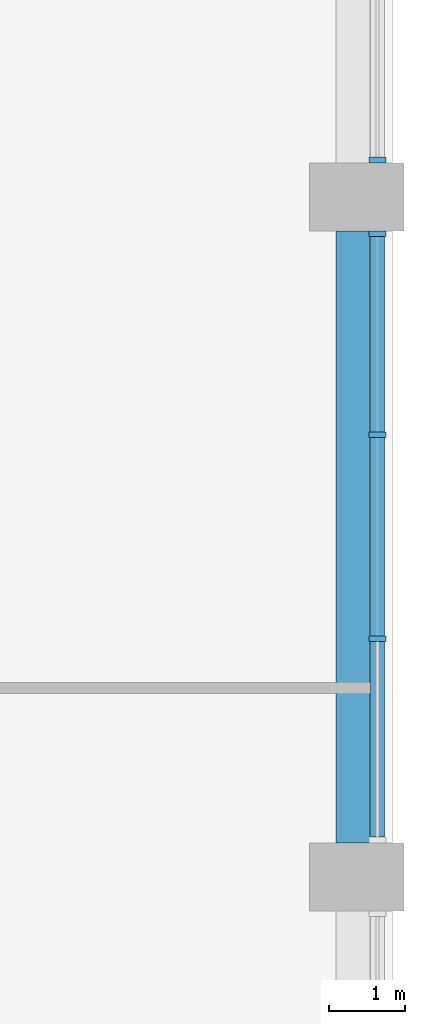
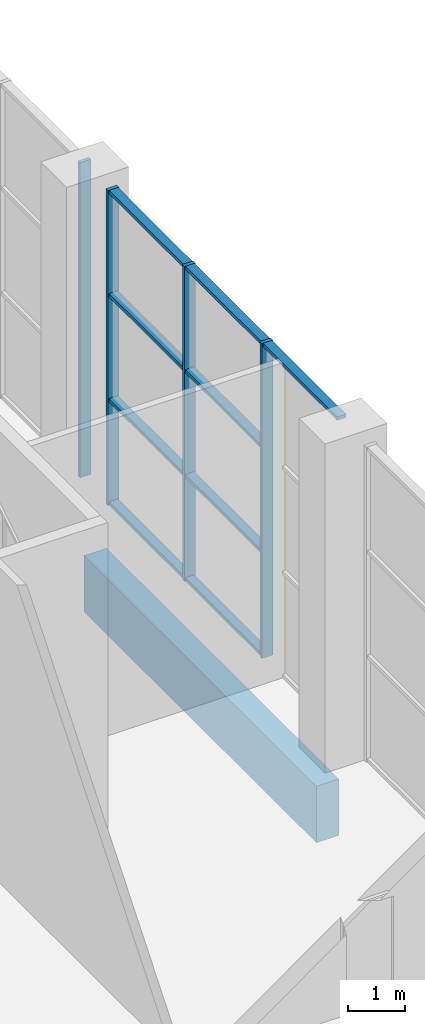
# One storey, part 5 of 22: 13 members, 1 beam, 2 elements without a shape of their own.
"""IFC4 building model written with IfcOpenShell, lengths in metres."""

from ifc_helpers import new_model, si_unit, direction, frame, origin, origin_2d, place, context, subcontext, project, spatial, rectangle, extrude, material, material_profile, profile_set, type_object, element, aggregate, save


model = new_model("IFC4")

# Units and contexts
model_context = context("Model", 3, precision=1e-05, world=origin(), true_north=direction((0.0, 1.0)))
body_context = subcontext(model_context, "Body", "Model", "MODEL_VIEW")
ifc_project = project(units=[si_unit("LENGTHUNIT", "METRE"), si_unit("AREAUNIT", "SQUARE_METRE"), si_unit("VOLUMEUNIT", "CUBIC_METRE"), si_unit("PLANEANGLEUNIT", "RADIAN"), si_unit("MASSUNIT", "GRAM", prefix="KILO")], contexts=[model_context])

# Site, building, storey
site_placement = place(None, origin())
site = spatial("IfcSite", under=ifc_project, at=site_placement, CompositionType="ELEMENT")
building_placement = place(site_placement, origin())
building = spatial("IfcBuilding", under=site, at=building_placement, Name="Cypress Arch Tower", CompositionType="ELEMENT")
storey_placement = place(building_placement, frame((0.0, 0.0, 145.5)))
storey = spatial("IfcBuildingStorey", under=building, at=storey_placement, Name="L32", CompositionType="ELEMENT", Elevation=145.5)

# Curtain wall, members
ifc_material_1 = material(Name="Anodised aluminium, bronze finish, solar control laminated double glazing", Category="aluminium")
curtain_wall_type = type_object("IfcCurtainWallType", Name="Curtain wall CW3 sky lobby glazing", PredefinedType="NOTDEFINED", material=ifc_material_1)
curtain_wall_1_placement = place(storey_placement, origin())
curtain_wall_1 = element("IfcCurtainWall", 1, at=curtain_wall_1_placement, inside=storey, type_object=curtain_wall_type, Name="Curtain wall L32 A06.2.1", PredefinedType="NOTDEFINED")
ifc_material_2 = material(Name="Anodised aluminium, bronze finish", Category="aluminium")
ifc_material_profile_1 = material_profile(ifc_material_2, rectangle(XDim=0.219970703125, YDim=0.074951171875, at=origin_2d()), Name="Mullion 75x220")
ifc_profile_set_1 = profile_set([ifc_material_profile_1], Name="Anodised aluminium, bronze finish")
member_type_1 = type_object("IfcMemberType", Name="Mullion CW3 75x220", PredefinedType="MULLION", material=ifc_profile_set_1)
member_1_placement = place(storey_placement, frame((24.39990234375, -1.35009765625, 0.0), z_axis=(0.0, 0.0, 1.0), x_axis=(-1.0, 0.0, 0.0)))
member_1 = element("IfcMember", 2, at=member_1_placement, type_object=member_type_1, Name="CW3 mullion 2", PredefinedType="MULLION", context=body_context, shape_type="SweptSolid", body=[
    extrude(rectangle(XDim=0.219970703125, YDim=0.074951171875, at=origin_2d()), origin(), (0.0, 0.0, 1.0), 6.699951171875),
])
member_2_placement = place(storey_placement, frame((24.39990234375, 1.35009765625, 0.0), z_axis=(0.0, 0.0, 1.0), x_axis=(-1.0, 0.0, 0.0)))
member_2 = element("IfcMember", 3, at=member_2_placement, type_object=member_type_1, Name="CW3 mullion 3", PredefinedType="MULLION", context=body_context, shape_type="SweptSolid", body=[
    extrude(rectangle(XDim=0.219970703125, YDim=0.074951171875, at=origin_2d()), origin(), (0.0, 0.0, 1.0), 6.699951171875),
])
member_3_placement = place(storey_placement, frame((24.39990234375, 4.012451171875, 0.0), z_axis=(0.0, 0.0, 1.0), x_axis=(-1.0, 0.0, 0.0)))
member_3 = element("IfcMember", 4, at=member_3_placement, type_object=member_type_1, Name="CW3 mullion 4", PredefinedType="MULLION", context=body_context, shape_type="SweptSolid", body=[
    extrude(rectangle(XDim=0.219970703125, YDim=0.074951171875, at=origin_2d()), origin(), (0.0, 0.0, 1.0), 6.699951171875),
])

# Curtain wall, member
curtain_wall_2_placement = place(storey_placement, origin())
curtain_wall_2 = element("IfcCurtainWall", 5, at=curtain_wall_2_placement, inside=storey, type_object=curtain_wall_type, Name="Curtain wall L32 A06.3.1", PredefinedType="NOTDEFINED")
member_4_placement = place(storey_placement, frame((24.39990234375, 4.987548828125, 0.0), z_axis=(0.0, 0.0, 1.0), x_axis=(-1.0, 0.0, 0.0)))
member_4 = element("IfcMember", 6, at=member_4_placement, type_object=member_type_1, Name="CW3 mullion 1", PredefinedType="MULLION", context=body_context, shape_type="SweptSolid", body=[
    extrude(rectangle(XDim=0.219970703125, YDim=0.074951171875, at=origin_2d()), origin(), (0.0, 0.0, 1.0), 6.699951171875),
])
aggregate(curtain_wall_2, [member_4])

# Beam
ifc_material_3 = material(Name="Concrete C50/60", Category="concrete")
ifc_material_profile_2 = material_profile(ifc_material_3, rectangle(XDim=0.449951171875, YDim=1.199951171875, at=origin_2d()), Name="RC 450x1200")
ifc_profile_set_2 = profile_set([ifc_material_profile_2], Name="Concrete C50/60")
beam_type = type_object("IfcBeamType", Name="Spandrel beam RC 450x1200 Concrete C50/60", PredefinedType="SPANDREL", material=ifc_profile_set_2)
beam_placement = place(storey_placement, frame((24.074951171875, -4.050048828125, -1.550048828125), z_axis=(0.0, 1.0, 0.0), x_axis=(-1.0, 0.0, 0.0)))
element("IfcBeam", 7, at=beam_placement, inside=storey, type_object=beam_type, Name="Spandrel beam L32 BA06-2", PredefinedType="SPANDREL", context=body_context, shape_type="SweptSolid", body=[
    extrude(rectangle(XDim=0.449951171875, YDim=1.199951171875, at=origin_2d()), origin(), (0.0, 0.0, 1.0), 8.10009765625),
])

# Member
ifc_material_4 = material(Name="Anodised aluminium, bronze finish", Category="aluminium")
ifc_material_profile_3 = material_profile(ifc_material_4, rectangle(XDim=0.179931640625, YDim=0.074951171875, at=origin_2d()), Name="Transom 75x180")
ifc_profile_set_3 = profile_set([ifc_material_profile_3], Name="Anodised aluminium, bronze finish")
member_type_2 = type_object("IfcMemberType", Name="Transom CW3 75x180", PredefinedType="USERDEFINED", material=ifc_profile_set_3)
member_5_placement = place(storey_placement, frame((24.39990234375, -3.97509765625, 6.66259765625), z_axis=(0.0, 1.0, 0.0), x_axis=(-1.0, 0.0, 0.0)))
member_5 = element("IfcMember", 8, at=member_5_placement, type_object=member_type_2, Name="CW3 transom 1.4", ObjectType="TRANSOM", PredefinedType="USERDEFINED", context=body_context, shape_type="SweptSolid", body=[
    extrude(rectangle(XDim=0.179931640625, YDim=0.074951171875, at=origin_2d()), origin(), (0.0, 0.0, 1.0), 2.587646484375),
])

member_6_placement = place(storey_placement, frame((24.39990234375, -1.3125, 0.03759765625), z_axis=(0.0, 1.0, 0.0), x_axis=(-1.0, 0.0, 0.0)))
member_6 = element("IfcMember", 9, at=member_6_placement, type_object=member_type_2, Name="CW3 transom 2.1", ObjectType="TRANSOM", PredefinedType="USERDEFINED", context=body_context, shape_type="SweptSolid", body=[
    extrude(rectangle(XDim=0.179931640625, YDim=0.074951171875, at=origin_2d()), origin(), (0.0, 0.0, 1.0), 2.625),
])

member_7_placement = place(storey_placement, frame((24.39990234375, -1.3125, 2.2333984375), z_axis=(0.0, 1.0, 0.0), x_axis=(-1.0, 0.0, 0.0)))
member_7 = element("IfcMember", 10, at=member_7_placement, type_object=member_type_2, Name="CW3 transom 2.2", ObjectType="TRANSOM", PredefinedType="USERDEFINED", context=body_context, shape_type="SweptSolid", body=[
    extrude(rectangle(XDim=0.179931640625, YDim=0.074951171875, at=origin_2d()), origin(), (0.0, 0.0, 1.0), 2.625),
])

member_8_placement = place(storey_placement, frame((24.39990234375, -1.3125, 4.466552734375), z_axis=(0.0, 1.0, 0.0), x_axis=(-1.0, 0.0, 0.0)))
member_8 = element("IfcMember", 11, at=member_8_placement, type_object=member_type_2, Name="CW3 transom 2.3", ObjectType="TRANSOM", PredefinedType="USERDEFINED", context=body_context, shape_type="SweptSolid", body=[
    extrude(rectangle(XDim=0.179931640625, YDim=0.074951171875, at=origin_2d()), origin(), (0.0, 0.0, 1.0), 2.625),
])

member_9_placement = place(storey_placement, frame((24.39990234375, -1.3125, 6.66259765625), z_axis=(0.0, 1.0, 0.0), x_axis=(-1.0, 0.0, 0.0)))
member_9 = element("IfcMember", 12, at=member_9_placement, type_object=member_type_2, Name="CW3 transom 2.4", ObjectType="TRANSOM", PredefinedType="USERDEFINED", context=body_context, shape_type="SweptSolid", body=[
    extrude(rectangle(XDim=0.179931640625, YDim=0.074951171875, at=origin_2d()), origin(), (0.0, 0.0, 1.0), 2.625),
])

member_10_placement = place(storey_placement, frame((24.39990234375, 1.387451171875, 0.03759765625), z_axis=(0.0, 1.0, 0.0), x_axis=(-1.0, 0.0, 0.0)))
member_10 = element("IfcMember", 13, at=member_10_placement, type_object=member_type_2, Name="CW3 transom 3.1", ObjectType="TRANSOM", PredefinedType="USERDEFINED", context=body_context, shape_type="SweptSolid", body=[
    extrude(rectangle(XDim=0.179931640625, YDim=0.074951171875, at=origin_2d()), origin(), (0.0, 0.0, 1.0), 2.587646484375),
])

member_11_placement = place(storey_placement, frame((24.39990234375, 1.387451171875, 2.2333984375), z_axis=(0.0, 1.0, 0.0), x_axis=(-1.0, 0.0, 0.0)))
member_11 = element("IfcMember", 14, at=member_11_placement, type_object=member_type_2, Name="CW3 transom 3.2", ObjectType="TRANSOM", PredefinedType="USERDEFINED", context=body_context, shape_type="SweptSolid", body=[
    extrude(rectangle(XDim=0.179931640625, YDim=0.074951171875, at=origin_2d()), origin(), (0.0, 0.0, 1.0), 2.587646484375),
])

member_12_placement = place(storey_placement, frame((24.39990234375, 1.387451171875, 4.466552734375), z_axis=(0.0, 1.0, 0.0), x_axis=(-1.0, 0.0, 0.0)))
member_12 = element("IfcMember", 15, at=member_12_placement, type_object=member_type_2, Name="CW3 transom 3.3", ObjectType="TRANSOM", PredefinedType="USERDEFINED", context=body_context, shape_type="SweptSolid", body=[
    extrude(rectangle(XDim=0.179931640625, YDim=0.074951171875, at=origin_2d()), origin(), (0.0, 0.0, 1.0), 2.587646484375),
])

member_13_placement = place(storey_placement, frame((24.39990234375, 1.387451171875, 6.66259765625), z_axis=(0.0, 1.0, 0.0), x_axis=(-1.0, 0.0, 0.0)))
member_13 = element("IfcMember", 16, at=member_13_placement, type_object=member_type_2, Name="CW3 transom 3.4", ObjectType="TRANSOM", PredefinedType="USERDEFINED", context=body_context, shape_type="SweptSolid", body=[
    extrude(rectangle(XDim=0.179931640625, YDim=0.074951171875, at=origin_2d()), origin(), (0.0, 0.0, 1.0), 2.587646484375),
])

aggregate(curtain_wall_1, [member_1, member_2, member_3, member_5, member_6, member_7, member_8, member_9, member_10, member_11, member_12, member_13])

save(model, "model.ifc")
